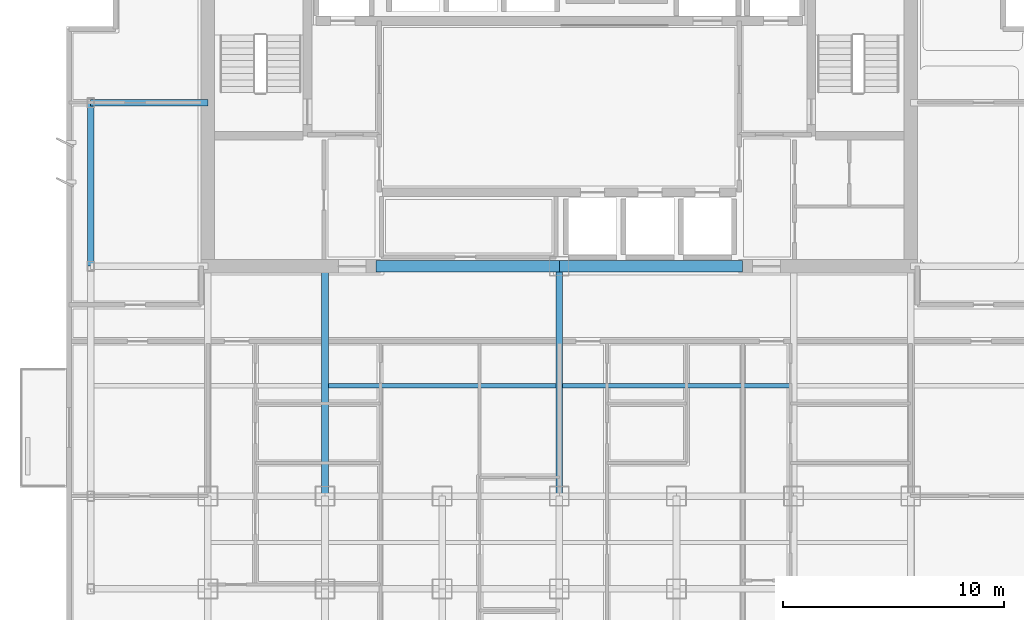
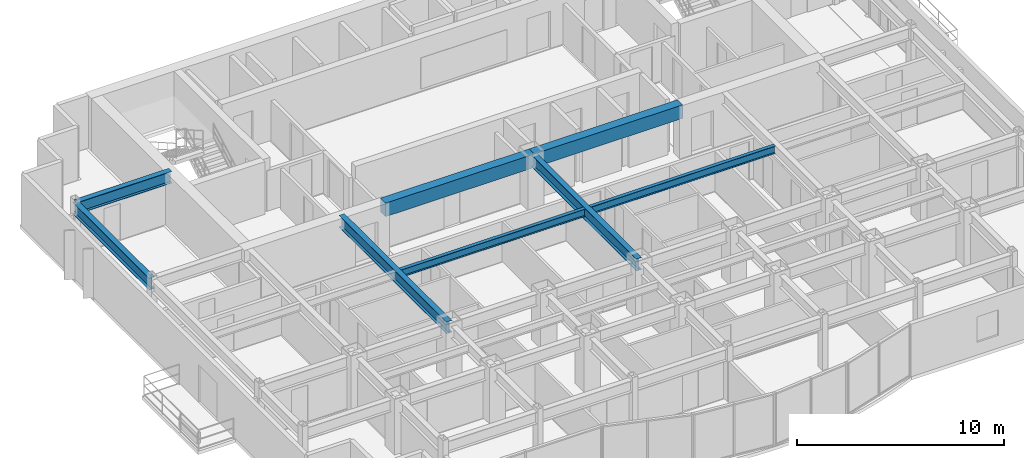
# One storey, part 3 of 11: 8 beams.
"""IFC4 building model written with IfcOpenShell, lengths in metres."""

from ifc_helpers import new_model, si_unit, direction, frame, origin, origin_2d, place, context, subcontext, project, spatial, rectangle, i_section, extrude, material, material_profile, profile_set, type_object, element, save


model = new_model("IFC4")

# Units and contexts
model_context = context("Model", 3, precision=1e-05, world=origin(), true_north=direction((0.0, 1.0)))
body_context = subcontext(model_context, "Body", "Model", "MODEL_VIEW")
ifc_project = project(units=[si_unit("LENGTHUNIT", "METRE"), si_unit("AREAUNIT", "SQUARE_METRE"), si_unit("VOLUMEUNIT", "CUBIC_METRE"), si_unit("PLANEANGLEUNIT", "RADIAN"), si_unit("MASSUNIT", "GRAM", prefix="KILO")], contexts=[model_context])

# Site, building, storey
site_placement = place(None, origin())
site = spatial("IfcSite", under=ifc_project, at=site_placement, CompositionType="ELEMENT")
building_placement = place(site_placement, origin())
building = spatial("IfcBuilding", under=site, at=building_placement, Name="Qianlan Lanfeng Residences", CompositionType="ELEMENT")
storey_placement = place(building_placement, frame((0.0, 0.0, 152.39990234375)))
storey = spatial("IfcBuildingStorey", under=building, at=storey_placement, Name="L41", CompositionType="ELEMENT", Elevation=152.39990234375)

# Beams
ifc_material_1 = material(Name="Steel SN490B", Category="steel")
ifc_material_profile_1 = material_profile(ifc_material_1, i_section(OverallWidth=0.300048828125, OverallDepth=0.699951171875, WebThickness=0.012939453125, FlangeThickness=0.02392578125, at=origin_2d()), Name="H 700x300x13x24")
ifc_profile_set_1 = profile_set([ifc_material_profile_1], Name="Steel SN490B")
beam_type_1 = type_object("IfcBeamType", Name="G-750", PredefinedType="BEAM", material=ifc_profile_set_1)
beam_1_placement = place(storey_placement, frame((5.300048828125, 32.60009765625, 2.75), z_axis=(1.0, 0.0, 0.0), x_axis=(0.0, 1.0, 0.0)))
element("IfcBeam", 1, at=beam_1_placement, inside=storey, type_object=beam_type_1, Name="Structural beam G-750", PredefinedType="BEAM", context=body_context, shape_type="SweptSolid", body=[
    extrude(i_section(OverallWidth=0.300048828125, OverallDepth=0.699951171875, WebThickness=0.012939453125, FlangeThickness=0.02392578125, at=origin_2d()), origin(), (0.0, 0.0, 1.0), 5.300048828125),
])
for number, where, z_axis, x_axis, name in (
    (2, (15.89990234375, 14.800048828125, 2.75), (0.0, 1.0, 0.0), (-1.0, 0.0, 0.0), "Structural beam G-750"),
    (3, (26.5, 14.800048828125, 2.75), (0.0, 1.0, 0.0), (-1.0, 0.0, 0.0), "Structural beam G-750"),
):
    element("IfcBeam", number, at=place(storey_placement, frame(where, z_axis=z_axis, x_axis=x_axis)), inside=storey, type_object=beam_type_1, Name=name, PredefinedType="BEAM", context=body_context, shape_type="SweptSolid", body=[
        extrude(i_section(OverallWidth=0.300048828125, OverallDepth=0.699951171875, WebThickness=0.012939453125, FlangeThickness=0.02392578125, at=origin_2d()), origin(), (0.0, 0.0, 1.0), 10.39990234375),
    ])
ifc_material_profile_2 = material_profile(ifc_material_1, i_section(OverallWidth=0.199951171875, OverallDepth=0.449951171875, WebThickness=0.009033203125, FlangeThickness=0.013916015625, at=origin_2d()), Name="H 450x200x9x14")
ifc_profile_set_2 = profile_set([ifc_material_profile_2], Name="Steel SN490B")
beam_type_2 = type_object("IfcBeamType", Name="J-450", PredefinedType="JOIST", material=ifc_profile_set_2)
for number, where, z_axis, x_axis, name in (
    (4, (16.050048828125, 19.800048828125, 2.875), (1.0, 0.0, 0.0), (0.0, 1.0, 0.0), "Structural beam J-450"),
    (5, (26.64990234375, 19.800048828125, 2.875), (1.0, 0.0, 0.0), (0.0, 1.0, 0.0), "Structural beam J-450"),
):
    element("IfcBeam", number, at=place(storey_placement, frame(where, z_axis=z_axis, x_axis=x_axis)), inside=storey, type_object=beam_type_2, Name=name, PredefinedType="JOIST", context=body_context, shape_type="SweptSolid", body=[
        extrude(i_section(OverallWidth=0.199951171875, OverallDepth=0.449951171875, WebThickness=0.009033203125, FlangeThickness=0.013916015625, at=origin_2d()), origin(), (0.0, 0.0, 1.0), 10.300048828125),
    ])
ifc_material_2 = material(Name="Concrete C49", Category="concrete")
ifc_material_profile_3 = material_profile(ifc_material_2, rectangle(XDim=0.5, YDim=0.800048828125, at=origin_2d()), Name="RC 500x800")
ifc_profile_set_3 = profile_set([ifc_material_profile_3], Name="Concrete C49")
beam_type_3 = type_object("IfcBeamType", Name="LB-RC750", PredefinedType="BEAM", material=ifc_profile_set_3)
for number, where, z_axis, x_axis, name in (
    (6, (18.199951171875, 25.199951171875, 2.7001953125), (1.0, 0.0, 0.0), (0.0, 1.0, 0.0), "L41 Core Coupling Beam W"),
    (7, (26.5, 25.199951171875, 2.7001953125), (1.0, 0.0, 0.0), (0.0, 1.0, 0.0), "L41 Core Coupling Beam E"),
):
    element("IfcBeam", number, at=place(storey_placement, frame(where, z_axis=z_axis, x_axis=x_axis)), inside=storey, type_object=beam_type_3, Name=name, PredefinedType="BEAM", context=body_context, shape_type="SweptSolid", body=[
        extrude(rectangle(XDim=0.5, YDim=0.800048828125, at=origin_2d()), origin(), (0.0, 0.0, 1.0), 8.300048828125),
    ])
ifc_material_profile_4 = material_profile(ifc_material_1, i_section(OverallWidth=0.300048828125, OverallDepth=0.699951171875, WebThickness=0.012939453125, FlangeThickness=0.02392578125, at=origin_2d()), Name="H 700x300x13x24")
ifc_profile_set_4 = profile_set([ifc_material_profile_4], Name="Steel SN490B")
beam_type_4 = type_object("IfcBeamType", Name="SG-750", PredefinedType="SPANDREL", material=ifc_profile_set_4)
beam_2_placement = place(storey_placement, frame((5.300048828125, 25.199951171875, 2.739990234375), z_axis=(0.0, 1.0, 0.0), x_axis=(-1.0, 0.0, 0.0)))
element("IfcBeam", 8, at=beam_2_placement, inside=storey, type_object=beam_type_4, Name="Structural beam SG-750", PredefinedType="SPANDREL", context=body_context, shape_type="SweptSolid", body=[
    extrude(i_section(OverallWidth=0.300048828125, OverallDepth=0.699951171875, WebThickness=0.012939453125, FlangeThickness=0.02392578125, at=origin_2d()), origin(), (0.0, 0.0, 1.0), 7.400146484375),
])

save(model, "model.ifc")
